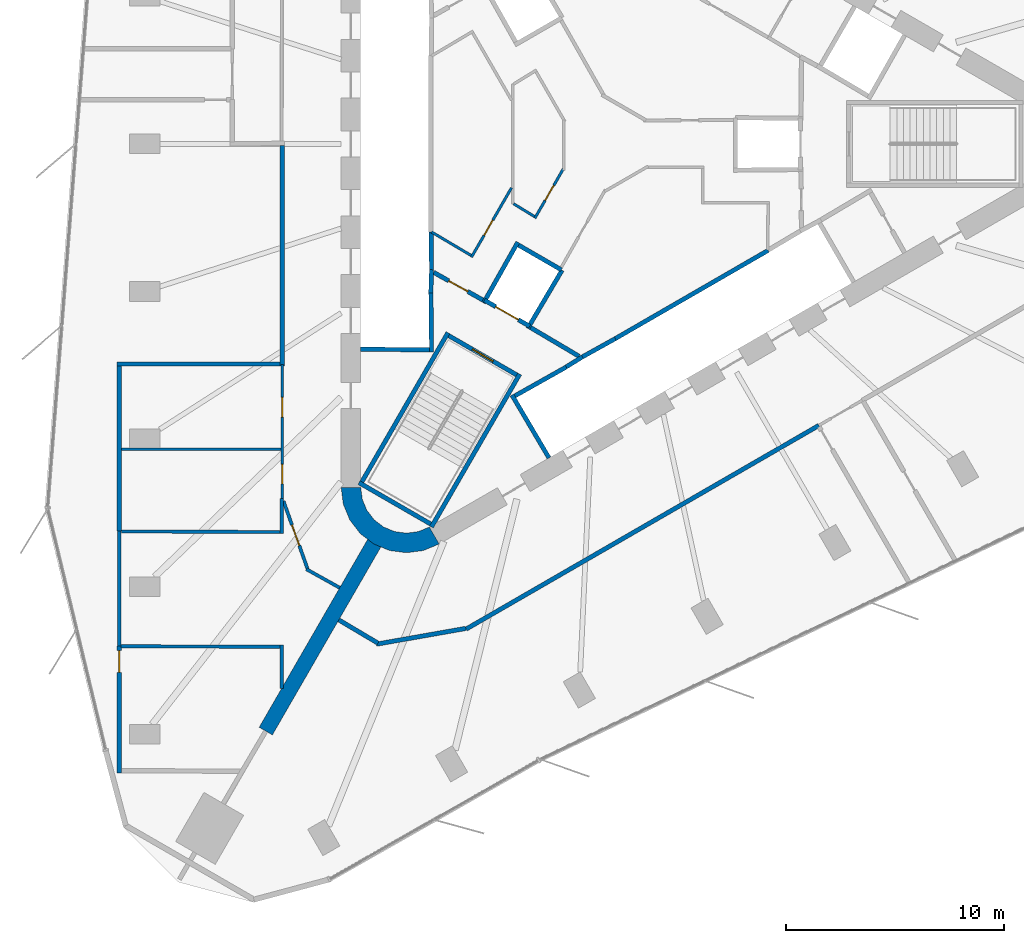
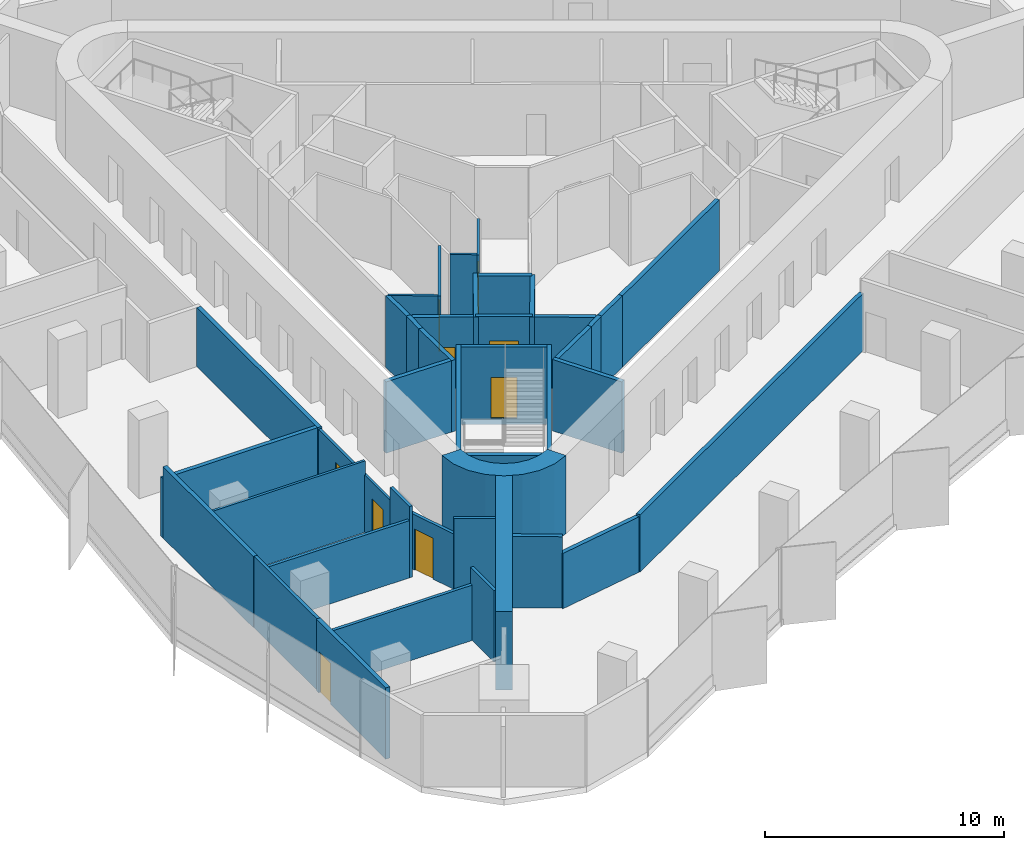
# One storey, part 8 of 13: 41 walls, 9 doors, 9 openings.
"""IFC4 building model written with IfcOpenShell, lengths in metres."""

import ifcopenshell
import ifcopenshell.guid

model = None  # the IFC model being written
_history = None  # IfcOwnerHistory: only IFC2X3 demands one
_inside = {}  # id of a spatial element -> (the spatial element, [elements in it])
_under = {}  # id of a project, library or spatial element -> (it, [spatial elements below it])
_declared = {}  # id of a project -> (the project, [libraries it declares])
_typed = {}  # id of a type object -> (the type object, [elements of that type])
_made_of = {}  # id of a material, layer set ... -> (it, [elements and type objects made of it])


def new_model(schema):
    """Start an empty IFC model of exactly this schema.

    Asked for "IFC4X3", IfcOpenShell would pick the latest addendum, in which some entities
    have other attributes; the version numbers below select the first issue.
    IFC2X3 requires an IfcOwnerHistory on every rooted entity: one is made here for all.
    """
    global model, _history
    if schema == "IFC4X3":
        model = ifcopenshell.file(schema_version=(4, 3, 0, 0))
    else:
        model = ifcopenshell.file(schema=schema)
    _inside.clear()
    _under.clear()
    _declared.clear()
    _typed.clear()
    _made_of.clear()
    _history = None
    if model.schema == "IFC2X3":
        org = make("IfcOrganization", Name="unknown")
        user = make(
            "IfcPersonAndOrganization",
            ThePerson=make("IfcPerson", FamilyName="unknown"),
            TheOrganization=org,
        )
        app = make(
            "IfcApplication",
            ApplicationDeveloper=org,
            Version="unknown",
            ApplicationFullName="unknown",
            ApplicationIdentifier="unknown",
        )
        _history = make(
            "IfcOwnerHistory",
            OwningUser=user,
            OwningApplication=app,
            ChangeAction="ADDED",
            CreationDate=0,
        )
    return model


def make(cls, **values):
    """One entity of the class cls with the attributes given. An attribute that is None is left unset."""
    return model.create_entity(
        cls, **{name: value for name, value in values.items() if value is not None}
    )


def rooted(cls, **values):
    """An entity with a GlobalId (a new one), such as an element, a storey or a relation."""
    return make(cls, GlobalId=ifcopenshell.guid.new(), OwnerHistory=_history, **values)


def si_unit(unit_type, name, prefix=None):
    """IfcSIUnit, for example si_unit("LENGTHUNIT", "METRE", prefix="MILLI")."""
    return make("IfcSIUnit", UnitType=unit_type, Prefix=prefix, Name=name)


def assignment(units):
    """IfcUnitAssignment: the units of a project."""
    return None if units is None else make("IfcUnitAssignment", Units=units)


def point(xyz):
    """IfcCartesianPoint."""
    return None if xyz is None else make("IfcCartesianPoint", Coordinates=xyz)


def direction(xyz):
    """IfcDirection."""
    return None if xyz is None else make("IfcDirection", DirectionRatios=xyz)


def frame(location, z_axis=None, x_axis=None):
    """IfcAxis2Placement3D, a coordinate frame: its origin and axes. An axis left out is left unset."""
    return make(
        "IfcAxis2Placement3D",
        Location=point(location),
        Axis=direction(z_axis),
        RefDirection=direction(x_axis),
    )


def frame_2d(location, x_axis=None):
    """IfcAxis2Placement2D, a coordinate frame in the plane: its origin and x axis."""
    return make(
        "IfcAxis2Placement2D", Location=point(location), RefDirection=direction(x_axis)
    )


def origin():
    """The frame at (0, 0, 0) with its axes left unset."""
    return frame((0.0, 0.0, 0.0))


def place(relative_to, where):
    """IfcLocalPlacement: puts the frame where relative to a parent placement (None: the world)."""
    return make(
        "IfcLocalPlacement", PlacementRelTo=relative_to, RelativePlacement=where
    )


def context(
    kind, dimensions, precision=None, world=None, true_north=None, identifier=None
):
    """IfcGeometricRepresentationContext, for example the 3D "Model" context."""
    return make(
        "IfcGeometricRepresentationContext",
        ContextIdentifier=identifier,
        ContextType=kind,
        CoordinateSpaceDimension=dimensions,
        Precision=precision,
        WorldCoordinateSystem=world,
        TrueNorth=true_north,
    )


def subcontext(parent, identifier, kind, view, scale=None):
    """IfcGeometricRepresentationSubContext, for example "Body" below "Model"."""
    return make(
        "IfcGeometricRepresentationSubContext",
        ContextIdentifier=identifier,
        ContextType=kind,
        ParentContext=parent,
        TargetScale=scale,
        TargetView=view,
    )


def project(units=None, contexts=None):
    """IfcProject with its units and contexts."""
    return rooted(
        "IfcProject",
        Name="project",
        RepresentationContexts=contexts,
        UnitsInContext=assignment(units),
    )


def spatial(cls, under=None, at=None, **own):
    """A site, building, storey or space (cls), placed at a placement, below another one or the project."""
    s = rooted(cls, ObjectPlacement=at, **own)
    if under is not None:
        _under.setdefault(under.id(), (under, []))[1].append(s)
    return s


def polyline(points):
    """IfcPolyline through the points."""
    return make("IfcPolyline", Points=[point(p) for p in points])


def profile(cls, at=None, kind="AREA", **sizes):
    """A parametric profile (cls). Its sizes go by their IFC names, for example OverallWidth=200.0."""
    return make(cls, ProfileType=kind, Position=at, **sizes)


def rectangle(**sizes):
    """IfcRectangleProfileDef."""
    return profile("IfcRectangleProfileDef", **sizes)


def outline(outer, holes=None, kind="AREA"):
    """IfcArbitraryClosedProfileDef: a profile drawn as a closed curve; with holes, ...WithVoids."""
    if holes is None:
        return make("IfcArbitraryClosedProfileDef", ProfileType=kind, OuterCurve=outer)
    return make(
        "IfcArbitraryProfileDefWithVoids",
        ProfileType=kind,
        OuterCurve=outer,
        InnerCurves=holes,
    )


def extrude(swept, where, along, depth):
    """IfcExtrudedAreaSolid: the profile swept, set in the frame where, extruded along a direction by depth."""
    return make(
        "IfcExtrudedAreaSolid",
        SweptArea=swept,
        Position=where,
        ExtrudedDirection=direction(along),
        Depth=depth,
    )


def shape(context_of_items, identifier, shape_type, items):
    """IfcShapeRepresentation: the items that make up one representation, for example the "Body"."""
    return make(
        "IfcShapeRepresentation",
        ContextOfItems=context_of_items,
        RepresentationIdentifier=identifier,
        RepresentationType=shape_type,
        Items=items,
    )


def material(Name=None, Category=None):
    """IfcMaterial."""
    return make("IfcMaterial", Name=Name, Category=Category)


def layer(
    of_material, thickness, ventilated=None, Name=None, Category=None, Priority=None
):
    """IfcMaterialLayer: one layer of a wall or slab, of a material (None: an air gap)."""
    return make(
        "IfcMaterialLayer",
        Material=of_material,
        LayerThickness=thickness,
        IsVentilated=ventilated,
        Name=Name,
        Category=Category,
        Priority=Priority,
    )


def layer_set(layers, Name=None):
    """IfcMaterialLayerSet."""
    return make("IfcMaterialLayerSet", MaterialLayers=layers, LayerSetName=Name)


def made_of(thing, what):
    """Note that an element or type object is made of a material, layer set ...; save() writes the relation."""
    if what is not None:
        _made_of.setdefault(what.id(), (what, []))[1].append(thing)
    return thing


def type_object(cls, material=None, **own):
    """A type object (cls), such as IfcWallType, which elements share."""
    return made_of(rooted(cls, **own), material)


def element(
    cls,
    number,
    at=None,
    inside=None,
    cuts=None,
    type_object=None,
    material=None,
    context=None,
    identifier="Body",
    shape_type=None,
    held_by="IfcProductDefinitionShape",
    body=None,
    shapes=None,
    **own,
):
    """One element of the class cls, such as IfcWall. Its Tag is "e" and its number.

    at: its placement. inside: the storey or other place that contains it. cuts: it is an
    opening in that element (IfcRelVoidsElement). A single representation is given by context,
    identifier, shape_type and body (its items); several are given by shapes. held_by: the class
    of the entity that holds the representations. save() writes the other relations.
    """
    e = rooted(cls, Tag="e%d" % number, ObjectPlacement=at, **own)
    if body is not None:
        shapes = [shape(context, identifier, shape_type, body)]
    if shapes is not None:
        e.Representation = make(held_by, Representations=shapes)
    if inside is not None:
        _inside.setdefault(inside.id(), (inside, []))[1].append(e)
    if cuts is not None:
        rooted(
            "IfcRelVoidsElement", RelatingBuildingElement=cuts, RelatedOpeningElement=e
        )
    if type_object is not None:
        _typed.setdefault(type_object.id(), (type_object, []))[1].append(e)
    return made_of(e, material)


def fill(opening, filler):
    """IfcRelFillsElement: the door or window that sits in an opening."""
    return rooted(
        "IfcRelFillsElement",
        RelatingOpeningElement=opening,
        RelatedBuildingElement=filler,
    )


def aggregate(whole, parts):
    """IfcRelAggregates: a whole, such as a stair, and the parts it consists of."""
    return rooted("IfcRelAggregates", RelatingObject=whole, RelatedObjects=parts)


def save(model, path):
    """Write the relations noted so far, then the file.

    IfcRelAggregates (storeys below a building ...), IfcRelContainedInSpatialStructure (elements
    in a storey), IfcRelDefinesByType, IfcRelAssociatesMaterial and IfcRelDeclares: one each for
    every whole, place, type object, material and project.
    """
    for whole, parts in _under.values():
        aggregate(whole, parts)
    for where, things in _inside.values():
        rooted(
            "IfcRelContainedInSpatialStructure",
            RelatedElements=things,
            RelatingStructure=where,
        )
    for kind, things in _typed.values():
        rooted("IfcRelDefinesByType", RelatedObjects=things, RelatingType=kind)
    for what, things in _made_of.values():
        rooted("IfcRelAssociatesMaterial", RelatedObjects=things, RelatingMaterial=what)
    for by, libraries in _declared.values():
        rooted("IfcRelDeclares", RelatingContext=by, RelatedDefinitions=libraries)
    model.write(path)


model = new_model("IFC4")

# Units and contexts
model_context = context("Model", 3, precision=1e-05, world=origin(), true_north=direction((0.0, 1.0)))
body_context = subcontext(model_context, "Body", "Model", "MODEL_VIEW")
ifc_project = project(units=[si_unit("LENGTHUNIT", "METRE"), si_unit("AREAUNIT", "SQUARE_METRE"), si_unit("VOLUMEUNIT", "CUBIC_METRE"), si_unit("PLANEANGLEUNIT", "RADIAN"), si_unit("MASSUNIT", "GRAM", prefix="KILO")], contexts=[model_context])

# Site, building, storey
site_placement = place(None, origin())
site = spatial("IfcSite", under=ifc_project, at=site_placement, CompositionType="ELEMENT")
building_placement = place(site_placement, origin())
building = spatial("IfcBuilding", under=site, at=building_placement, Name="Tanit Gate Tower", CompositionType="ELEMENT")
storey_placement = place(building_placement, frame((0.0, 0.0, 273.199951171875)))
storey = spatial("IfcBuildingStorey", under=building, at=storey_placement, Name="L62", CompositionType="ELEMENT", Elevation=273.199951171875)

# Walls
ifc_material_1 = material(Name="Concrete C50/60", Category="concrete")
ifc_layer_1 = layer(ifc_material_1, 0.699951171875)
ifc_layer_set_1 = layer_set([ifc_layer_1], Name="BUTTRESS FIN 700 C50/60")
wall_type_1 = type_object("IfcWallType", Name="BUTTRESS FIN 700 C50/60", PredefinedType="SHEAR", material=ifc_layer_set_1)
wall_1_placement = place(storey_placement, frame((-10.574951171875, -18.31640625, 0.0), z_axis=(0.0, 0.0, 1.0), x_axis=(-0.500007350791, -0.866021159762, 0.0)))
element("IfcWall", 1, at=wall_1_placement, inside=storey, type_object=wall_type_1, Name="BUTTRESS FIN", PredefinedType="SHEAR", context=body_context, shape_type="SweptSolid", body=[
    extrude(rectangle(XDim=9.964599609375, YDim=0.699951171875, at=frame_2d((4.982421875, 0.0))), origin(), (0.0, 0.0, 1.0), 4.0),
])
ifc_material_2 = material(Name="Concrete C50/60", Category="concrete")
ifc_layer_2 = layer(ifc_material_2, 0.89990234375)
ifc_layer_set_2 = layer_set([ifc_layer_2], Name="CORE WALL 900 C50/60")
wall_type_2 = type_object("IfcWallType", Name="CORE WALL 900 C50/60", PredefinedType="SHEAR", material=ifc_layer_set_2)
wall_2_placement = place(storey_placement, origin())
element("IfcWall", 2, at=wall_2_placement, inside=storey, type_object=wall_type_2, Name="CORE WALL CORNER", PredefinedType="SHEAR", context=body_context, shape_type="SweptSolid", body=[
    extrude(outline(polyline([(-12.10009765625, -15.76171875), (-11.997802734375, -16.5380859375), (-11.697998046875, -17.26171875), (-11.22119140625, -17.883056640625), (-10.60009765625, -18.359619140625), (-9.87646484375, -18.659423828125), (-9.10009765625, -18.76171875), (-8.323486328125, -18.659423828125), (-7.60009765625, -18.359619140625), (-8.050048828125, -17.580322265625), (-8.556396484375, -17.7900390625), (-9.10009765625, -17.86181640625), (-9.6435546875, -17.7900390625), (-10.14990234375, -17.580322265625), (-10.5849609375, -17.24658203125), (-10.918701171875, -16.811767578125), (-11.12841796875, -16.30517578125), (-11.199951171875, -15.76171875), (-12.10009765625, -15.76171875)])), origin(), (0.0, 0.0, 1.0), 4.0),
])
ifc_material_3 = material(Name="Fire-rated gypsum board partition")
ifc_layer_3 = layer(ifc_material_3, 0.199951171875)
ifc_layer_set_3 = layer_set([ifc_layer_3], Name="INT-WALL-COMPARTMENT")
wall_type_3 = type_object("IfcWallType", Name="INT-WALL-COMPARTMENT", PredefinedType="PARTITIONING", material=ifc_layer_set_3)
wall_3_placement = place(storey_placement, frame((-3.400634765625, -8.43017578125, 0.0), z_axis=(0.0, 0.0, 1.0), x_axis=(0.860615607571, -0.509255118781, 0.0)))
element("IfcWall", 3, at=wall_3_placement, inside=storey, type_object=wall_type_3, Name="Wall Compartment W063", PredefinedType="PARTITIONING", context=body_context, shape_type="SweptSolid", body=[
    extrude(rectangle(XDim=2.58056640625, YDim=0.199951171875, at=frame_2d((1.290283203125, 0.0))), origin(), (0.0, 0.0, 1.0), 3.650146484375),
])

# Wall, opening, door
wall_4_placement = place(storey_placement, frame((-7.849365234375, -5.893798828125, 0.0), z_axis=(0.0, 0.0, 1.0), x_axis=(0.871363259478, -0.490638431059, 0.0)))
wall_4 = element("IfcWall", 4, at=wall_4_placement, inside=storey, type_object=wall_type_3, Name="Wall Compartment W064", PredefinedType="PARTITIONING", context=body_context, shape_type="SweptSolid", body=[
    extrude(rectangle(XDim=2.5810546875, YDim=0.199951171875, at=frame_2d((1.29052734375, 0.0))), origin(), (0.0, 0.0, 1.0), 3.650146484375),
])
opening_1_placement = place(wall_4_placement, frame((0.79052734375, 0.0, 0.0)))
opening_1 = element("IfcOpeningElement", 5, at=opening_1_placement, cuts=wall_4, Name="Opening F10-S17-08", PredefinedType="OPENING", context=body_context, shape_type="SweptSolid", body=[
    extrude(rectangle(XDim=1.0, YDim=2.10009765625, at=frame_2d((0.5, 1.050048828125))), frame((0.0, 0.10986328125, 0.0), z_axis=(0.0, -1.0, 0.0), x_axis=(1.0, 0.0, 0.0)), (0.0, 0.0, 1.0), 0.219970703125),
])
ifc_material_4 = material(Name="Fire-rated steel door leaf", Category="steel")
door_type_1 = type_object("IfcDoorType", Name="INT-DOOR-FIRE-1000", OperationType="NOTDEFINED", PredefinedType="USERDEFINED", material=ifc_material_4)
door_1_placement = place(opening_1_placement, origin())
door_1 = element("IfcDoor", 6, at=door_1_placement, inside=storey, type_object=door_type_1, Name="Door F10-S17-08", ObjectType="FIRE DOOR", OperationType="SINGLE_SWING_LEFT", OverallHeight=2.10009765625, OverallWidth=1.0, PredefinedType="USERDEFINED", context=body_context, shape_type="SweptSolid", body=[
    extrude(rectangle(XDim=1.0, YDim=2.10009765625, at=frame_2d((0.5, 1.050048828125))), frame((0.0, 0.02490234375, 0.0), z_axis=(0.0, -1.0, 0.0), x_axis=(1.0, 0.0, 0.0)), (0.0, 0.0, 1.0), 0.050048828125),
])
fill(opening_1, door_1)

# Walls
wall_5_placement = place(storey_placement, frame((-14.800048828125, -0.070068359375, 0.0), z_axis=(0.0, 0.0, 1.0), x_axis=(0.0, -1.0, 0.0)))
element("IfcWall", 7, at=wall_5_placement, inside=storey, type_object=wall_type_3, Name="Wall Compartment W093", PredefinedType="PARTITIONING", context=body_context, shape_type="SweptSolid", body=[
    extrude(rectangle(XDim=10.1298828125, YDim=0.199951171875, at=frame_2d((5.06494140625, 0.0))), origin(), (0.0, 0.0, 1.0), 3.02001953125),
])
wall_6_placement = place(storey_placement, frame((-6.3662109375, -22.26611328125, 0.0), z_axis=(0.0, 0.0, 1.0), x_axis=(0.866027932408, 0.49999562027, 0.0)))
element("IfcWall", 8, at=wall_6_placement, inside=storey, type_object=wall_type_3, Name="Wall Compartment W109", PredefinedType="PARTITIONING", context=body_context, shape_type="SweptSolid", body=[
    extrude(rectangle(XDim=18.696533203125, YDim=0.199951171875, at=frame_2d((9.34814453125, 0.0))), origin(), (0.0, 0.0, 1.0), 2.929931640625),
])
wall_7_placement = place(storey_placement, frame((-10.479736328125, -22.956787109375, 0.0), z_axis=(0.0, 0.0, 1.0), x_axis=(0.984812459939, 0.173621481242, 0.0)))
element("IfcWall", 9, at=wall_7_placement, inside=storey, type_object=wall_type_3, Name="Wall Compartment W110", PredefinedType="PARTITIONING", context=body_context, shape_type="SweptSolid", body=[
    extrude(rectangle(XDim=4.1650390625, YDim=0.199951171875, at=frame_2d((2.08251953125, 0.0))), origin(), (0.0, 0.0, 1.0), 2.830078125),
])
wall_8_placement = place(storey_placement, frame((-12.20703125, -21.84326171875, 0.0), z_axis=(0.0, 0.0, 1.0), x_axis=(0.859912345357, -0.510441728606, 0.0)))
element("IfcWall", 10, at=wall_8_placement, inside=storey, type_object=wall_type_3, Name="Wall Compartment W111", PredefinedType="PARTITIONING", context=body_context, shape_type="SweptSolid", body=[
    extrude(rectangle(XDim=2.093017578125, YDim=0.199951171875, at=frame_2d((1.04638671875, 0.0))), origin(), (0.0, 0.0, 1.0), 3.650146484375),
])
wall_9_placement = place(storey_placement, frame((-14.89990234375, -10.10009765625, 0.0), z_axis=(0.0, 0.0, 1.0), x_axis=(-1.0, 0.0, 0.0)))
element("IfcWall", 11, at=wall_9_placement, inside=storey, type_object=wall_type_3, Name="Wall Compartment W116", PredefinedType="PARTITIONING", context=body_context, shape_type="SweptSolid", body=[
    extrude(rectangle(XDim=7.47998046875, YDim=0.199951171875, at=frame_2d((3.739990234375, 0.0))), origin(), (0.0, 0.0, 1.0), 3.02001953125),
])

# Wall, opening, door
wall_10_placement = place(storey_placement, frame((-22.280029296875, -28.860107421875, 0.0), z_axis=(0.0, 0.0, 1.0), x_axis=(0.0, 1.0, 0.0)))
wall_10 = element("IfcWall", 12, at=wall_10_placement, inside=storey, type_object=wall_type_3, Name="Wall Compartment W120", PredefinedType="PARTITIONING", context=body_context, shape_type="SweptSolid", body=[
    extrude(rectangle(XDim=5.8173828125, YDim=0.199951171875, at=frame_2d((2.90869140625, 0.0))), origin(), (0.0, 0.0, 1.0), 3.650146484375),
])
opening_2_placement = place(wall_10_placement, frame((4.60986328125, 0.0, 0.0)))
opening_2 = element("IfcOpeningElement", 13, at=opening_2_placement, cuts=wall_10, Name="Opening F10-S17-26", PredefinedType="OPENING", context=body_context, shape_type="SweptSolid", body=[
    extrude(rectangle(XDim=1.0, YDim=2.10009765625, at=frame_2d((0.5, 1.050048828125))), frame((0.0, 0.10986328125, 0.0), z_axis=(0.0, -1.0, 0.0), x_axis=(1.0, 0.0, 0.0)), (0.0, 0.0, 1.0), 0.219970703125),
])
door_2_placement = place(opening_2_placement, origin())
door_2 = element("IfcDoor", 14, at=door_2_placement, inside=storey, type_object=door_type_1, Name="Door F10-S17-26", ObjectType="FIRE DOOR", OperationType="SINGLE_SWING_RIGHT", OverallHeight=2.10009765625, OverallWidth=1.0, PredefinedType="USERDEFINED", context=body_context, shape_type="SweptSolid", body=[
    extrude(rectangle(XDim=1.0, YDim=2.10009765625, at=frame_2d((0.5, 1.050048828125))), frame((0.0, 0.02490234375, 0.0), z_axis=(0.0, -1.0, 0.0), x_axis=(1.0, 0.0, 0.0)), (0.0, 0.0, 1.0), 0.050048828125),
])
fill(opening_2, door_2)

# Wall
wall_11_placement = place(storey_placement, frame((-22.280029296875, -17.77392578125, 0.0), z_axis=(0.0, 0.0, 1.0), x_axis=(0.0, 1.0, 0.0)))
element("IfcWall", 15, at=wall_11_placement, inside=storey, type_object=wall_type_3, Name="Wall Compartment W118", PredefinedType="PARTITIONING", context=body_context, shape_type="SweptSolid", body=[
    extrude(rectangle(XDim=7.573974609375, YDim=0.199951171875, at=frame_2d((3.787109375, 0.0))), origin(), (0.0, 0.0, 1.0), 3.650146484375),
])

# Wall, opening, door
ifc_material_5 = material(Name="Gypsum board partition")
ifc_layer_4 = layer(ifc_material_5, 0.1201171875)
ifc_layer_set_4 = layer_set([ifc_layer_4], Name="INT-WALL-PARTITION")
wall_type_4 = type_object("IfcWallType", Name="INT-WALL-PARTITION", PredefinedType="PARTITIONING", material=ifc_layer_set_4)
wall_12_placement = place(storey_placement, frame((-6.1181640625, -5.197265625, 0.0), z_axis=(0.0, 0.0, 1.0), x_axis=(0.499979045085, 0.866037501772, 0.0)))
wall_12 = element("IfcWall", 16, at=wall_12_placement, inside=storey, type_object=wall_type_4, Name="Wall Partition W075", PredefinedType="PARTITIONING", context=body_context, shape_type="SweptSolid", body=[
    extrude(rectangle(XDim=3.678955078125, YDim=0.1201171875, at=frame_2d((1.83935546875, 0.0))), origin(), (0.0, 0.0, 1.0), 3.650146484375),
])
opening_3_placement = place(wall_12_placement, frame((1.159912109375, 0.0, 0.0)))
opening_3 = element("IfcOpeningElement", 17, at=opening_3_placement, cuts=wall_12, Name="Opening R08-S17-12", PredefinedType="OPENING", context=body_context, shape_type="SweptSolid", body=[
    extrude(rectangle(XDim=0.800048828125, YDim=2.10009765625, at=frame_2d((0.39990234375, 1.050048828125))), frame((0.0, 0.070068359375, 0.0), z_axis=(0.0, -1.0, 0.0), x_axis=(1.0, 0.0, 0.0)), (0.0, 0.0, 1.0), 0.14013671875),
])
ifc_material_6 = material(Name="Timber door leaf", Category="wood")
door_type_2 = type_object("IfcDoorType", Name="INT-DOOR-RISER-800", OperationType="NOTDEFINED", PredefinedType="USERDEFINED", material=ifc_material_6)
door_3_placement = place(opening_3_placement, origin())
door_3 = element("IfcDoor", 18, at=door_3_placement, inside=storey, type_object=door_type_2, Name="Door R08-S17-12", ObjectType="FIRE DOOR", OperationType="SINGLE_SWING_RIGHT", OverallHeight=2.10009765625, OverallWidth=0.800048828125, PredefinedType="USERDEFINED", context=body_context, shape_type="SweptSolid", body=[
    extrude(rectangle(XDim=0.800048828125, YDim=2.10009765625, at=frame_2d((0.39990234375, 1.050048828125))), frame((0.0, 0.02490234375, 0.0), z_axis=(0.0, -1.0, 0.0), x_axis=(1.0, 0.0, 0.0)), (0.0, 0.0, 1.0), 0.050048828125),
])
fill(opening_3, door_3)

# Wall
wall_13_placement = place(storey_placement, frame((-7.949951171875, -4.041015625, 0.0), z_axis=(0.0, 0.0, 1.0), x_axis=(0.860112457103, -0.510104461004, 0.0)))
element("IfcWall", 19, at=wall_13_placement, inside=storey, type_object=wall_type_4, Name="Wall Partition W076", PredefinedType="PARTITIONING", context=body_context, shape_type="SweptSolid", body=[
    extrude(rectangle(XDim=2.1044921875, YDim=0.1201171875, at=frame_2d((1.05224609375, 0.0))), origin(), (0.0, 0.0, 1.0), 3.650146484375),
])

# Wall, opening, door
wall_14_placement = place(storey_placement, frame((-3.2109375, -3.41162109375, 0.0), z_axis=(0.0, 0.0, 1.0), x_axis=(0.500013727357, 0.866017478146, 0.0)))
wall_14 = element("IfcWall", 20, at=wall_14_placement, inside=storey, type_object=wall_type_4, Name="Wall Partition W082", PredefinedType="PARTITIONING", context=body_context, shape_type="SweptSolid", body=[
    extrude(rectangle(XDim=2.63623046875, YDim=0.1201171875, at=frame_2d((1.318115234375, 0.0))), origin(), (0.0, 0.0, 1.0), 3.650146484375),
])
opening_4_placement = place(wall_14_placement, frame((0.947998046875, 0.0, 0.0)))
opening_4 = element("IfcOpeningElement", 21, at=opening_4_placement, cuts=wall_14, Name="Opening R08-S17-13", PredefinedType="OPENING", context=body_context, shape_type="SweptSolid", body=[
    extrude(rectangle(XDim=0.800048828125, YDim=2.10009765625, at=frame_2d((0.39990234375, 1.050048828125))), frame((0.0, 0.070068359375, 0.0), z_axis=(0.0, -1.0, 0.0), x_axis=(1.0, 0.0, 0.0)), (0.0, 0.0, 1.0), 0.14013671875),
])
door_4_placement = place(opening_4_placement, origin())
door_4 = element("IfcDoor", 22, at=door_4_placement, inside=storey, type_object=door_type_2, Name="Door R08-S17-13", ObjectType="FIRE DOOR", OperationType="SINGLE_SWING_RIGHT", OverallHeight=2.10009765625, OverallWidth=0.800048828125, PredefinedType="USERDEFINED", context=body_context, shape_type="SweptSolid", body=[
    extrude(rectangle(XDim=0.800048828125, YDim=2.10009765625, at=frame_2d((0.39990234375, 1.050048828125))), frame((0.0, 0.02490234375, 0.0), z_axis=(0.0, -1.0, 0.0), x_axis=(1.0, 0.0, 0.0)), (0.0, 0.0, 1.0), 0.050048828125),
])
fill(opening_4, door_4)

# Wall
wall_15_placement = place(storey_placement, frame((-4.188720703125, -2.74365234375, 0.0), z_axis=(0.0, 0.0, 1.0), x_axis=(0.853217230587, -0.521555708845, 0.0)))
element("IfcWall", 23, at=wall_15_placement, inside=storey, type_object=wall_type_4, Name="Wall Partition W083", PredefinedType="PARTITIONING", context=body_context, shape_type="SweptSolid", body=[
    extrude(rectangle(XDim=1.12109375, YDim=0.1201171875, at=frame_2d((0.560546875, 0.0))), origin(), (0.0, 0.0, 1.0), 3.650146484375),
])

# Wall, openings, doors
wall_16_placement = place(storey_placement, frame((-14.800048828125, -10.1298828125, 0.0), z_axis=(0.0, 0.0, 1.0), x_axis=(0.0, -1.0, 0.0)))
wall_16 = element("IfcWall", 24, at=wall_16_placement, inside=storey, type_object=wall_type_4, Name="Wall Partition W094", PredefinedType="PARTITIONING", context=body_context, shape_type="SweptSolid", body=[
    extrude(rectangle(XDim=6.138427734375, YDim=0.1201171875, at=frame_2d((3.0693359375, 0.0))), origin(), (0.0, 0.0, 1.0), 2.929931640625),
])
opening_5_placement = place(wall_16_placement, frame((1.505615234375, 0.0, 0.0)))
opening_5 = element("IfcOpeningElement", 25, at=opening_5_placement, cuts=wall_16, Name="Opening D09-S17-23", PredefinedType="OPENING", context=body_context, shape_type="SweptSolid", body=[
    extrude(rectangle(XDim=0.89990234375, YDim=2.10009765625, at=frame_2d((0.449951171875, 1.050048828125))), frame((0.0, 0.070068359375, 0.0), z_axis=(0.0, -1.0, 0.0), x_axis=(1.0, 0.0, 0.0)), (0.0, 0.0, 1.0), 0.14013671875),
])
opening_6_placement = place(wall_16_placement, frame((4.57470703125, 0.0, 0.0)))
opening_6 = element("IfcOpeningElement", 26, at=opening_6_placement, cuts=wall_16, Name="Opening D09-S17-24", PredefinedType="OPENING", context=body_context, shape_type="SweptSolid", body=[
    extrude(rectangle(XDim=0.89990234375, YDim=2.10009765625, at=frame_2d((0.449951171875, 1.050048828125))), frame((0.0, 0.070068359375, 0.0), z_axis=(0.0, -1.0, 0.0), x_axis=(1.0, 0.0, 0.0)), (0.0, 0.0, 1.0), 0.14013671875),
])
ifc_material_7 = material(Name="Timber door leaf", Category="wood")
door_type_3 = type_object("IfcDoorType", Name="INT-DOOR-SINGLE-900", OperationType="NOTDEFINED", PredefinedType="NOTDEFINED", material=ifc_material_7)
door_5_placement = place(opening_5_placement, origin())
door_5 = element("IfcDoor", 27, at=door_5_placement, inside=storey, type_object=door_type_3, Name="Door D09-S17-23", OperationType="SINGLE_SWING_RIGHT", OverallHeight=2.10009765625, OverallWidth=0.89990234375, PredefinedType="NOTDEFINED", context=body_context, shape_type="SweptSolid", body=[
    extrude(rectangle(XDim=0.89990234375, YDim=2.10009765625, at=frame_2d((0.449951171875, 1.050048828125))), frame((0.0, 0.02490234375, 0.0), z_axis=(0.0, -1.0, 0.0), x_axis=(1.0, 0.0, 0.0)), (0.0, 0.0, 1.0), 0.050048828125),
])
fill(opening_5, door_5)
door_6_placement = place(opening_6_placement, origin())
door_6 = element("IfcDoor", 28, at=door_6_placement, inside=storey, type_object=door_type_3, Name="Door D09-S17-24", OperationType="SINGLE_SWING_RIGHT", OverallHeight=2.10009765625, OverallWidth=0.89990234375, PredefinedType="NOTDEFINED", context=body_context, shape_type="SweptSolid", body=[
    extrude(rectangle(XDim=0.89990234375, YDim=2.10009765625, at=frame_2d((0.449951171875, 1.050048828125))), frame((0.0, 0.02490234375, 0.0), z_axis=(0.0, -1.0, 0.0), x_axis=(1.0, 0.0, 0.0)), (0.0, 0.0, 1.0), 0.050048828125),
])
fill(opening_6, door_6)

# Walls
wall_17_placement = place(storey_placement, frame((-22.179931640625, -14.01123046875, 0.0), z_axis=(0.0, 0.0, 1.0), x_axis=(1.0, 0.0, 0.0)))
element("IfcWall", 29, at=wall_17_placement, inside=storey, type_object=wall_type_4, Name="Wall Partition W131", PredefinedType="PARTITIONING", context=body_context, shape_type="SweptSolid", body=[
    extrude(rectangle(XDim=7.349853515625, YDim=0.1201171875, at=frame_2d((3.6748046875, 0.0))), origin(), (0.0, 0.0, 1.0), 3.650146484375),
])
ifc_material_8 = material(Name="Fire-rated gypsum board partition")
ifc_layer_5 = layer(ifc_material_8, 0.14990234375)
ifc_layer_set_5 = layer_set([ifc_layer_5], Name="INT-WALL-RISER")
wall_type_5 = type_object("IfcWallType", Name="INT-WALL-RISER", PredefinedType="PLUMBINGWALL", material=ifc_layer_set_5)
wall_18_placement = place(storey_placement, frame((-13.69580078125, -19.513916015625, 0.0), z_axis=(0.0, 0.0, 1.0), x_axis=(0.873335409284, -0.487119351792, 0.0)))
element("IfcWall", 30, at=wall_18_placement, inside=storey, type_object=wall_type_5, Name="Wall Riser W096", PredefinedType="PLUMBINGWALL", context=body_context, shape_type="SweptSolid", body=[
    extrude(rectangle(XDim=1.754150390625, YDim=0.14990234375, at=frame_2d((0.876953125, 0.0))), origin(), (0.0, 0.0, 1.0), 3.650146484375),
])

# Wall, opening, door
wall_19_placement = place(storey_placement, frame((-14.74267578125, -16.393798828125, 0.0), z_axis=(0.0, 0.0, 1.0), x_axis=(0.334298080075, -0.942467396602, 0.0)))
wall_19 = element("IfcWall", 31, at=wall_19_placement, inside=storey, type_object=wall_type_5, Name="Wall Riser W097", PredefinedType="PLUMBINGWALL", context=body_context, shape_type="SweptSolid", body=[
    extrude(rectangle(XDim=3.317138671875, YDim=0.14990234375, at=frame_2d((1.65869140625, 0.0))), origin(), (0.0, 0.0, 1.0), 2.830078125),
])
opening_7_placement = place(wall_19_placement, frame((1.158447265625, 0.0, 0.0)))
opening_7 = element("IfcOpeningElement", 32, at=opening_7_placement, cuts=wall_19, Name="Opening F10-S17-25", PredefinedType="OPENING", context=body_context, shape_type="SweptSolid", body=[
    extrude(rectangle(XDim=1.0, YDim=2.10009765625, at=frame_2d((0.5, 1.050048828125))), frame((0.0, 0.0849609375, 0.0), z_axis=(0.0, -1.0, 0.0), x_axis=(1.0, 0.0, 0.0)), (0.0, 0.0, 1.0), 0.169921875),
])
door_7_placement = place(opening_7_placement, origin())
door_7 = element("IfcDoor", 33, at=door_7_placement, inside=storey, type_object=door_type_1, Name="Door F10-S17-25", ObjectType="FIRE DOOR", OperationType="SINGLE_SWING_LEFT", OverallHeight=2.10009765625, OverallWidth=1.0, PredefinedType="USERDEFINED", context=body_context, shape_type="SweptSolid", body=[
    extrude(rectangle(XDim=1.0, YDim=2.10009765625, at=frame_2d((0.5, 1.050048828125))), frame((0.0, 0.02490234375, 0.0), z_axis=(0.0, -1.0, 0.0), x_axis=(1.0, 0.0, 0.0)), (0.0, 0.0, 1.0), 0.050048828125),
])
fill(opening_7, door_7)

# Walls
wall_20_placement = place(storey_placement, frame((-22.280029296875, -23.042724609375, 0.0), z_axis=(0.0, 0.0, 1.0), x_axis=(0.0, 1.0, 0.0)))
element("IfcWall", 34, at=wall_20_placement, inside=storey, type_object=wall_type_5, Name="Wall Riser W119", PredefinedType="PLUMBINGWALL", context=body_context, shape_type="SweptSolid", body=[
    extrude(rectangle(XDim=5.268798828125, YDim=0.14990234375, at=frame_2d((2.63427734375, 0.0))), origin(), (0.0, 0.0, 1.0), 3.650146484375),
])
wall_21_placement = place(storey_placement, frame((-14.830078125, -24.986328125, 0.0), z_axis=(0.0, 0.0, 1.0), x_axis=(0.0, 1.0, 0.0)))
element("IfcWall", 35, at=wall_21_placement, inside=storey, type_object=wall_type_5, Name="Wall Riser W134", PredefinedType="PLUMBINGWALL", context=body_context, shape_type="SweptSolid", body=[
    extrude(rectangle(XDim=1.981201171875, YDim=0.14990234375, at=frame_2d((0.99072265625, 0.0))), origin(), (0.0, 0.0, 1.0), 3.650146484375),
])
wall_22_placement = place(storey_placement, frame((-14.830078125, -17.886474609375, 0.0), z_axis=(0.0, 0.0, 1.0), x_axis=(0.0, 1.0, 0.0)))
element("IfcWall", 36, at=wall_22_placement, inside=storey, type_object=wall_type_5, Name="Wall Riser W132", PredefinedType="PLUMBINGWALL", context=body_context, shape_type="SweptSolid", body=[
    extrude(rectangle(XDim=1.6181640625, YDim=0.14990234375, at=frame_2d((0.80908203125, 0.0))), origin(), (0.0, 0.0, 1.0), 3.650146484375),
])
wall_23_placement = place(storey_placement, frame((-14.905029296875, -17.81103515625, 0.0), z_axis=(0.0, 0.0, 1.0), x_axis=(-0.999991891267, 0.004027083259, 0.0)))
element("IfcWall", 37, at=wall_23_placement, inside=storey, type_object=wall_type_5, Name="Wall Riser W133", PredefinedType="PLUMBINGWALL", context=body_context, shape_type="SweptSolid", body=[
    extrude(rectangle(XDim=7.27490234375, YDim=0.14990234375, at=frame_2d((3.637451171875, 0.0))), origin(), (0.0, 0.0, 1.0), 2.929931640625),
])
wall_24_placement = place(storey_placement, frame((-22.205078125, -23.050537109375, 0.0), z_axis=(0.0, 0.0, 1.0), x_axis=(0.999991947035, -0.004013211386, 0.0)))
element("IfcWall", 38, at=wall_24_placement, inside=storey, type_object=wall_type_5, Name="Wall Riser W135", PredefinedType="PLUMBINGWALL", context=body_context, shape_type="SweptSolid", body=[
    extrude(rectangle(XDim=7.300048828125, YDim=0.14990234375, at=frame_2d((3.64990234375, 0.0))), origin(), (0.0, 0.0, 1.0), 2.830078125),
])
ifc_material_9 = material(Name="Gypsum shaft wall system")
ifc_layer_6 = layer(ifc_material_9, 0.199951171875)
ifc_layer_set_6 = layer_set([ifc_layer_6], Name="INT-WALL-SHAFT")
wall_type_6 = type_object("IfcWallType", Name="INT-WALL-SHAFT", PredefinedType="PLUMBINGWALL", material=ifc_layer_set_6)
wall_25_placement = place(storey_placement, frame((-7.949951171875, -5.7724609375, 0.0), z_axis=(0.0, 0.0, 1.0), x_axis=(-0.030803413295, -0.999525462272, 0.0)))
element("IfcWall", 39, at=wall_25_placement, inside=storey, type_object=wall_type_6, Name="Wall Shaft W008", PredefinedType="PLUMBINGWALL", context=body_context, shape_type="SweptSolid", body=[
    extrude(rectangle(XDim=1.077880859375, YDim=0.199951171875, at=frame_2d((0.5390625, 0.0))), origin(), (0.0, 0.0, 1.0), 3.650146484375),
])
wall_26_placement = place(storey_placement, frame((-7.971435546875, -4.050048828125, 0.0), z_axis=(0.0, 0.0, 1.0), x_axis=(0.012042535896, -0.999927486035, 0.0)))
element("IfcWall", 40, at=wall_26_placement, inside=storey, type_object=wall_type_6, Name="Wall Shaft W009", PredefinedType="PLUMBINGWALL", context=body_context, shape_type="SweptSolid", body=[
    extrude(rectangle(XDim=1.844970703125, YDim=0.199951171875, at=frame_2d((0.92236328125, 0.0))), origin(), (0.0, 0.0, 1.0), 3.650146484375),
])
wall_27_placement = place(storey_placement, frame((-7.97900390625, -6.85009765625, 0.0), z_axis=(0.0, 0.0, 1.0), x_axis=(0.011121475088, -0.999938154483, 0.0)))
element("IfcWall", 41, at=wall_27_placement, inside=storey, type_object=wall_type_6, Name="Wall Shaft W010", PredefinedType="PLUMBINGWALL", context=body_context, shape_type="SweptSolid", body=[
    extrude(rectangle(XDim=2.7001953125, YDim=0.199951171875, at=frame_2d((1.35009765625, 0.0))), origin(), (0.0, 0.0, 1.0), 3.650146484375),
])
wall_28_placement = place(storey_placement, frame((-8.050048828125, -9.448974609375, 0.0), z_axis=(0.0, 0.0, 1.0), x_axis=(-0.999957467379, 0.009222983926, 0.0)))
element("IfcWall", 42, at=wall_28_placement, inside=storey, type_object=wall_type_6, Name="Wall Shaft W011", PredefinedType="PLUMBINGWALL", context=body_context, shape_type="SweptSolid", body=[
    extrude(rectangle(XDim=3.150146484375, YDim=0.199951171875, at=frame_2d((1.5751953125, 0.0))), origin(), (0.0, 0.0, 1.0), 3.650146484375),
])
wall_29_placement = place(storey_placement, frame((0.482666015625, -8.935791015625, 0.0), z_axis=(0.0, 0.0, 1.0), x_axis=(0.866030989016, 0.499990325971, 0.0)))
element("IfcWall", 43, at=wall_29_placement, inside=storey, type_object=wall_type_6, Name="Wall Shaft W023", PredefinedType="PLUMBINGWALL", context=body_context, shape_type="SweptSolid", body=[
    extrude(rectangle(XDim=8.099853515625, YDim=0.199951171875, at=frame_2d((4.0498046875, 0.0))), origin(), (0.0, 0.0, 1.0), 3.650146484375),
])
wall_30_placement = place(storey_placement, frame((-2.557861328125, -14.409423828125, 0.0), z_axis=(0.0, 0.0, 1.0), x_axis=(-0.507997497166, 0.861358544901, 0.0)))
element("IfcWall", 44, at=wall_30_placement, inside=storey, type_object=wall_type_6, Name="Wall Shaft W019", PredefinedType="PLUMBINGWALL", context=body_context, shape_type="SweptSolid", body=[
    extrude(rectangle(XDim=3.350341796875, YDim=0.199951171875, at=frame_2d((1.67529296875, 0.0))), origin(), (0.0, 0.0, 1.0), 3.650146484375),
])
wall_31_placement = place(storey_placement, frame((-1.7685546875, -10.23681640625, 0.0), z_axis=(0.0, 0.0, 1.0), x_axis=(-0.871534483978, -0.490334215854, 0.0)))
element("IfcWall", 45, at=wall_31_placement, inside=storey, type_object=wall_type_6, Name="Wall Shaft W020", PredefinedType="PLUMBINGWALL", context=body_context, shape_type="SweptSolid", body=[
    extrude(rectangle(XDim=2.7001953125, YDim=0.199951171875, at=frame_2d((1.35009765625, 0.0))), origin(), (0.0, 0.0, 1.0), 3.650146484375),
])
wall_32_placement = place(storey_placement, frame((-1.02392578125, -9.77099609375, 0.0), z_axis=(0.0, 0.0, 1.0), x_axis=(-0.850348075135, -0.526220629693, 0.0)))
element("IfcWall", 46, at=wall_32_placement, inside=storey, type_object=wall_type_6, Name="Wall Shaft W021", PredefinedType="PLUMBINGWALL", context=body_context, shape_type="SweptSolid", body=[
    extrude(rectangle(XDim=0.878173828125, YDim=0.199951171875, at=frame_2d((0.43896484375, 0.0))), origin(), (0.0, 0.0, 1.0), 3.650146484375),
])
wall_33_placement = place(storey_placement, frame((-1.130126953125, -9.831298828125, 0.0), z_axis=(0.0, 0.0, 1.0), x_axis=(0.874269620932, 0.485440655401, 0.0)))
element("IfcWall", 47, at=wall_33_placement, inside=storey, type_object=wall_type_6, Name="Wall Shaft W022", PredefinedType="PLUMBINGWALL", context=body_context, shape_type="SweptSolid", body=[
    extrude(rectangle(XDim=1.8447265625, YDim=0.199951171875, at=frame_2d((0.92236328125, 0.0))), origin(), (0.0, 0.0, 1.0), 3.650146484375),
])

# Wall, opening, door
wall_34_placement = place(storey_placement, frame((-3.44580078125, -8.3681640625, 0.0), z_axis=(0.0, 0.0, 1.0), x_axis=(-0.866024647952, 0.500001309137, 0.0)))
wall_34 = element("IfcWall", 48, at=wall_34_placement, inside=storey, type_object=wall_type_6, Name="Wall Shaft W045", PredefinedType="PLUMBINGWALL", context=body_context, shape_type="SweptSolid", body=[
    extrude(rectangle(XDim=2.39990234375, YDim=0.199951171875, at=frame_2d((1.199951171875, 0.0))), origin(), (0.0, 0.0, 1.0), 3.650146484375),
])
opening_8_placement = place(wall_34_placement, frame((0.60009765625, 0.0, 0.0)))
opening_8 = element("IfcOpeningElement", 49, at=opening_8_placement, cuts=wall_34, Name="Opening LDFL3-L62", PredefinedType="OPENING", context=body_context, shape_type="SweptSolid", body=[
    extrude(rectangle(XDim=1.199951171875, YDim=2.39990234375, at=frame_2d((0.60009765625, 1.199951171875))), frame((0.0, 0.10986328125, 0.0), z_axis=(0.0, -1.0, 0.0), x_axis=(1.0, 0.0, 0.0)), (0.0, 0.0, 1.0), 0.219970703125),
])
ifc_material_10 = material(Name="Stainless steel sliding door leaf", Category="steel")
door_type_4 = type_object("IfcDoorType", Name="INT-DOOR-LANDING-1200", OperationType="NOTDEFINED", PredefinedType="USERDEFINED", material=ifc_material_10)
door_8_placement = place(opening_8_placement, origin())
door_8 = element("IfcDoor", 50, at=door_8_placement, inside=storey, type_object=door_type_4, Name="Door LDFL3-L62", ObjectType="LANDING DOOR", OperationType="SLIDING_TO_LEFT", OverallHeight=2.39990234375, OverallWidth=1.199951171875, PredefinedType="USERDEFINED", context=body_context, shape_type="SweptSolid", body=[
    extrude(rectangle(XDim=1.199951171875, YDim=2.39990234375, at=frame_2d((0.60009765625, 1.199951171875))), frame((0.0, 0.02490234375, 0.0), z_axis=(0.0, -1.0, 0.0), x_axis=(1.0, 0.0, 0.0)), (0.0, 0.0, 1.0), 0.050048828125),
])
fill(opening_8, door_8)

# Walls
wall_35_placement = place(storey_placement, frame((-1.960693359375, -5.796142578125, 0.0), z_axis=(0.0, 0.0, 1.0), x_axis=(-0.508647062354, -0.860975125052, 0.0)))
element("IfcWall", 51, at=wall_35_placement, inside=storey, type_object=wall_type_6, Name="Wall Shaft W046", PredefinedType="PLUMBINGWALL", context=body_context, shape_type="SweptSolid", body=[
    extrude(rectangle(XDim=3.10009765625, YDim=0.199951171875, at=frame_2d((1.550048828125, 0.0))), origin(), (0.0, 0.0, 1.0), 3.650146484375),
])
wall_36_placement = place(storey_placement, frame((-3.989990234375, -4.509033203125, 0.0), z_axis=(0.0, 0.0, 1.0), x_axis=(-0.491358283181, -0.870957540612, 0.0)))
element("IfcWall", 52, at=wall_36_placement, inside=storey, type_object=wall_type_6, Name="Wall Shaft W047", PredefinedType="PLUMBINGWALL", context=body_context, shape_type="SweptSolid", body=[
    extrude(rectangle(XDim=3.200439453125, YDim=0.199951171875, at=frame_2d((1.60009765625, 0.0))), origin(), (0.0, 0.0, 1.0), 3.650146484375),
])
wall_37_placement = place(storey_placement, frame((-3.95263671875, -4.646240234375, 0.0), z_axis=(0.0, 0.0, 1.0), x_axis=(0.866065302921, -0.4999308863, 0.0)))
element("IfcWall", 53, at=wall_37_placement, inside=storey, type_object=wall_type_6, Name="Wall Shaft W048", PredefinedType="PLUMBINGWALL", context=body_context, shape_type="SweptSolid", body=[
    extrude(rectangle(XDim=2.264404296875, YDim=0.199951171875, at=frame_2d((1.13232421875, 0.0))), origin(), (0.0, 0.0, 1.0), 3.650146484375),
])
ifc_material_11 = material(Name="Concrete C40/50", Category="concrete")
ifc_layer_7 = layer(ifc_material_11, 0.199951171875)
ifc_layer_set_7 = layer_set([ifc_layer_7], Name="INT-WALL-STAIR")
wall_type_7 = type_object("IfcWallType", Name="INT-WALL-STAIR", PredefinedType="SHEAR", material=ifc_layer_set_7)
wall_38_placement = place(storey_placement, frame((-3.904541015625, -10.56298828125, -0.300048828125), z_axis=(0.0, 0.0, 1.0), x_axis=(-0.500012932018, -0.866017937352, 0.0)))
element("IfcWall", 54, at=wall_38_placement, inside=storey, type_object=wall_type_7, Name="Wall Stair W041", PredefinedType="SHEAR", context=body_context, shape_type="SweptSolid", body=[
    extrude(rectangle(XDim=8.099853515625, YDim=0.199951171875, at=frame_2d((4.0498046875, 0.0))), origin(), (0.0, 0.0, 1.0), 3.9501953125),
])
wall_39_placement = place(storey_placement, frame((-11.281982421875, -15.541015625, -0.300048828125), z_axis=(0.0, 0.0, 1.0), x_axis=(0.866000483506, -0.500043160704, 0.0)))
element("IfcWall", 55, at=wall_39_placement, inside=storey, type_object=wall_type_7, Name="Wall Stair W042", PredefinedType="SHEAR", context=body_context, shape_type="SweptSolid", body=[
    extrude(rectangle(XDim=3.800048828125, YDim=0.199951171875, at=frame_2d((1.89990234375, 0.0))), origin(), (0.0, 0.0, 1.0), 3.9501953125),
])
wall_40_placement = place(storey_placement, frame((-7.195556640625, -8.662841796875, -0.300048828125), z_axis=(0.0, 0.0, 1.0), x_axis=(-0.499997992926, -0.866026562566, 0.0)))
element("IfcWall", 56, at=wall_40_placement, inside=storey, type_object=wall_type_7, Name="Wall Stair W043", PredefinedType="SHEAR", context=body_context, shape_type="SweptSolid", body=[
    extrude(rectangle(XDim=7.89990234375, YDim=0.199951171875, at=frame_2d((3.949951171875, 0.0))), origin(), (0.0, 0.0, 1.0), 3.9501953125),
])

# Wall, opening, door
wall_41_placement = place(storey_placement, frame((-4.041259765625, -10.599365234375, -0.300048828125), z_axis=(0.0, 0.0, 1.0), x_axis=(-0.866047807691, 0.499961193289, 0.0)))
wall_41 = element("IfcWall", 57, at=wall_41_placement, inside=storey, type_object=wall_type_7, Name="Wall Stair W044", PredefinedType="SHEAR", context=body_context, shape_type="SweptSolid", body=[
    extrude(rectangle(XDim=3.599853515625, YDim=0.199951171875, at=frame_2d((1.7998046875, 0.0))), origin(), (0.0, 0.0, 1.0), 3.9501953125),
])
opening_9_placement = place(wall_41_placement, frame((1.25, 0.0, 0.300048828125)))
opening_9 = element("IfcOpeningElement", 58, at=opening_9_placement, cuts=wall_41, Name="Opening S11-S17-07", PredefinedType="OPENING", context=body_context, shape_type="SweptSolid", body=[
    extrude(rectangle(XDim=1.10009765625, YDim=2.10009765625, at=frame_2d((0.550048828125, 1.050048828125))), frame((0.0, 0.10986328125, 0.0), z_axis=(0.0, -1.0, 0.0), x_axis=(1.0, 0.0, 0.0)), (0.0, 0.0, 1.0), 0.219970703125),
])
ifc_material_12 = material(Name="Timber door leaf", Category="wood")
door_type_5 = type_object("IfcDoorType", Name="INT-DOOR-STAIR-1100", OperationType="NOTDEFINED", PredefinedType="USERDEFINED", material=ifc_material_12)
door_9_placement = place(opening_9_placement, origin())
door_9 = element("IfcDoor", 59, at=door_9_placement, inside=storey, type_object=door_type_5, Name="Door S11-S17-07", ObjectType="FIRE DOOR", OperationType="SINGLE_SWING_RIGHT", OverallHeight=2.10009765625, OverallWidth=1.10009765625, PredefinedType="USERDEFINED", context=body_context, shape_type="SweptSolid", body=[
    extrude(rectangle(XDim=1.10009765625, YDim=2.10009765625, at=frame_2d((0.550048828125, 1.050048828125))), frame((0.0, 0.02490234375, 0.0), z_axis=(0.0, -1.0, 0.0), x_axis=(1.0, 0.0, 0.0)), (0.0, 0.0, 1.0), 0.050048828125),
])
fill(opening_9, door_9)

save(model, "model.ifc")
